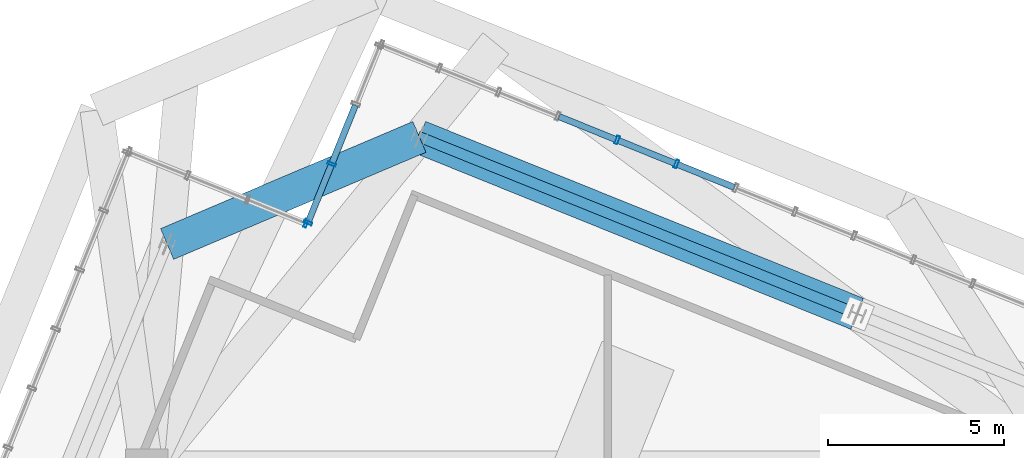
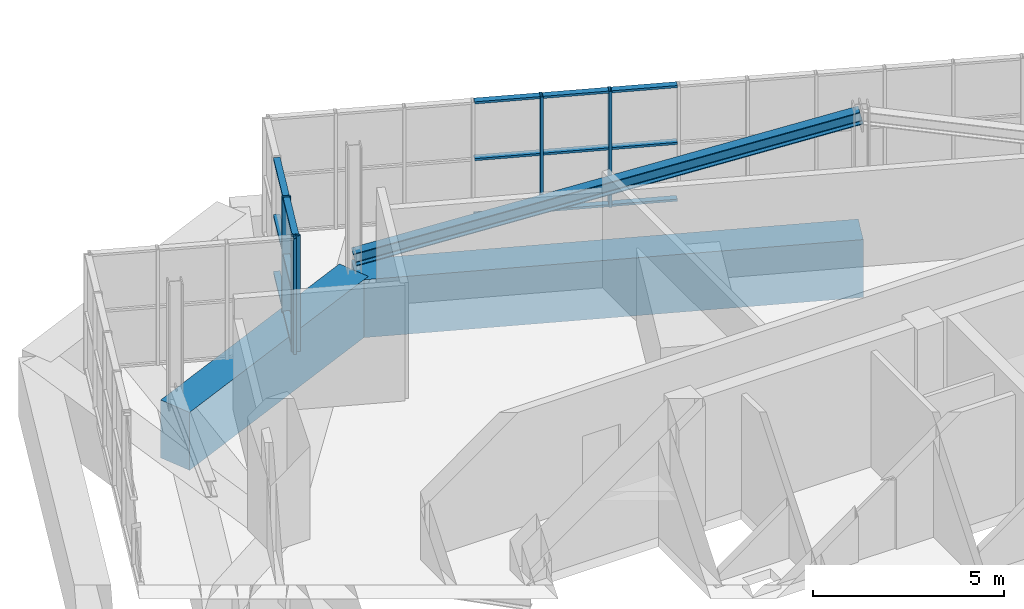
# One storey, part 21 of 35: 21 members, 2 beams, 3 elements without a shape of their own.
"""IFC4 building model written with IfcOpenShell, lengths in metres."""

from ifc_helpers import new_model, si_unit, direction, frame, origin, origin_2d, place, context, subcontext, project, spatial, rectangle, hollow_rectangle, i_section, extrude, source, transform, mapped, material, layer, layer_set, material_profile, profile_set, type_object, element, aggregate, save


model = new_model("IFC4")

# Units and contexts
model_context = context("Model", 3, precision=1e-05, world=origin(), true_north=direction((0.0, 1.0)))
body_context = subcontext(model_context, "Body", "Model", "MODEL_VIEW")
ifc_project = project(units=[si_unit("LENGTHUNIT", "METRE"), si_unit("AREAUNIT", "SQUARE_METRE"), si_unit("VOLUMEUNIT", "CUBIC_METRE"), si_unit("PLANEANGLEUNIT", "RADIAN"), si_unit("MASSUNIT", "GRAM", prefix="KILO"), si_unit("THERMODYNAMICTEMPERATUREUNIT", "KELVIN")], contexts=[model_context])

# Site, building, storey
site_placement = place(None, origin())
site = spatial("IfcSite", under=ifc_project, at=site_placement, CompositionType="ELEMENT")
building_placement = place(site_placement, origin())
building = spatial("IfcBuilding", under=site, at=building_placement, Name="Kosmvard Interchange Tower", CompositionType="ELEMENT")
storey_placement = place(building_placement, frame((0.0, 0.0, 321.60009765625)))
storey = spatial("IfcBuildingStorey", under=building, at=storey_placement, Name="L79", CompositionType="ELEMENT", Elevation=321.60009765625)

# Beams
ifc_material_1 = material(Name="Concrete C60/75", Category="concrete")
ifc_material_profile_1 = material_profile(ifc_material_1, rectangle(XDim=0.949951171875, YDim=1.85009765625, at=origin_2d()), Name="TG 950x1850")
ifc_profile_set_1 = profile_set([ifc_material_profile_1], Name="Concrete C60/75")
beam_type = type_object("IfcBeamType", Name="Upper Transfer Ring Girder 950x1850 C60/75", PredefinedType="USERDEFINED", material=ifc_profile_set_1)
shared_shape_1 = source(origin(), body_context, "Body", "SweptSolid", [
    extrude(rectangle(XDim=0.949951171875, YDim=1.85009765625, at=origin_2d()), origin(), (0.0, 0.0, 1.0), 13.400146484375),
])
beam_1_placement = place(storey_placement, frame((7.080078125, 17.523681640625, -0.925048828125), z_axis=(-0.927183187789, 0.374608243744, 0.0), x_axis=(-0.374608243744, -0.927183187789, 0.0)))
element("IfcBeam", 1, at=beam_1_placement, inside=storey, type_object=beam_type, Name="BM-L79-PR05", ObjectType="TRANSFER_GIRDER", PredefinedType="USERDEFINED", context=body_context, shape_type="MappedRepresentation", body=[
    mapped(shared_shape_1, transform((0.0, 0.0, 0.0), scale=1.0)),
])
shared_shape_2 = source(origin(), body_context, "Body", "SweptSolid", [
    extrude(rectangle(XDim=0.949951171875, YDim=1.85009765625, at=origin_2d()), origin(), (0.0, 0.0, 1.0), 7.778076171875),
])
beam_2_placement = place(storey_placement, frame((-5.34423828125, 22.54345703125, -0.925048828125), z_axis=(-0.92051132134, -0.39071589075, 0.0), x_axis=(0.39071589075, -0.92051132134, 0.0)))
element("IfcBeam", 2, at=beam_2_placement, inside=storey, type_object=beam_type, Name="BM-L79-PR06", ObjectType="TRANSFER_GIRDER", PredefinedType="USERDEFINED", context=body_context, shape_type="MappedRepresentation", body=[
    mapped(shared_shape_2, transform((0.0, 0.0, 0.0), scale=1.0)),
])

# Member
ifc_material_2 = material(Name="Steel S355", Category="steel")
ifc_material_profile_2 = material_profile(ifc_material_2, i_section(OverallWidth=0.300048828125, OverallDepth=0.39990234375, WebThickness=0.013427734375, FlangeThickness=0.02392578125, FilletRadius=0.027099609375, at=origin_2d()), Name="HEB 400")
ifc_profile_set_2 = profile_set([ifc_material_profile_2], Name="Steel S355")
member_type_1 = type_object("IfcMemberType", Name="Lantern Crown Diagrid Brace HEB 400 S355", PredefinedType="BRACE", material=ifc_profile_set_2)
shared_shape_3 = source(origin(), body_context, "Body", "SweptSolid", [
    extrude(i_section(OverallWidth=0.300048828125, OverallDepth=0.39990234375, WebThickness=0.013427734375, FlangeThickness=0.02392578125, FilletRadius=0.027099609375, at=origin_2d()), origin(), (0.0, 0.0, 1.0), 13.783935546875),
])
member_1_placement = place(storey_placement, frame((-5.34423828125, 22.54345703125, 0.419921875), z_axis=(0.901367558742, -0.364177999122, 0.234330768366), x_axis=(0.374608243744, 0.927183187789, 0.0)))
element("IfcMember", 3, at=member_1_placement, inside=storey, type_object=member_type_1, Name="L79 Crown Lantern Diagrid Brace E2", PredefinedType="BRACE", context=body_context, shape_type="MappedRepresentation", body=[
    mapped(shared_shape_3, transform((0.0, 0.0, 0.0), scale=1.0)),
])

# Curtain wall, members
ifc_material_3 = material(Name="Architectural anodised aluminium", Category="aluminium")
ifc_layer = layer(ifc_material_3, 0.25, Name="Architectural anodised aluminium")
ifc_layer_set = layer_set([ifc_layer], Name="Architectural anodised aluminium")
curtain_wall_type = type_object("IfcCurtainWallType", Name="CW-6 Illuminated Crown Lantern Curtain Wall", PredefinedType="NOTDEFINED", material=ifc_layer_set)
curtain_wall_1_placement = place(storey_placement, origin())
curtain_wall_1 = element("IfcCurtainWall", 4, at=curtain_wall_1_placement, inside=storey, type_object=curtain_wall_type, Name="L79 Crown Lantern Glazing Face 04", PredefinedType="NOTDEFINED")
ifc_material_profile_3 = material_profile(ifc_material_3, hollow_rectangle(XDim=0.239990234375, YDim=0.080078125, WallThickness=0.006103515625, at=origin_2d()), Name="CWM 240x80x6")
ifc_profile_set_3 = profile_set([ifc_material_profile_3], Name="Architectural anodised aluminium")
member_type_2 = type_object("IfcMemberType", Name="Lantern & Observation CW Mullion 240x80 Aluminium", PredefinedType="MULLION", material=ifc_profile_set_3)
shared_shape_4 = source(origin(), body_context, "Body", "SweptSolid", [
    extrude(hollow_rectangle(XDim=0.239990234375, YDim=0.080078125, WallThickness=0.006103515625, at=origin_2d()), origin(), (0.0, 0.0, 1.0), 3.699951171875),
])
member_2_placement = place(storey_placement, frame((1.94970703125, 21.775146484375, 0.0), z_axis=(0.0, 0.0, 1.0), x_axis=(-0.374606584758, -0.927183858065, 0.0)))
member_2 = element("IfcMember", 5, at=member_2_placement, type_object=member_type_2, Name="CW-6 mullion 13", PredefinedType="MULLION", context=body_context, shape_type="MappedRepresentation", body=[
    mapped(shared_shape_4, transform((0.0, 0.0, 0.0), scale=1.0)),
])
member_3_placement = place(storey_placement, frame((0.267578125, 22.454833984375, 0.0), z_axis=(0.0, 0.0, 1.0), x_axis=(-0.374606584758, -0.927183858065, 0.0)))
member_3 = element("IfcMember", 6, at=member_3_placement, type_object=member_type_2, Name="CW-6 mullion 14", PredefinedType="MULLION", context=body_context, shape_type="MappedRepresentation", body=[
    mapped(shared_shape_4, transform((0.0, 0.0, 0.0), scale=1.0)),
])

curtain_wall_2_placement = place(storey_placement, origin())
curtain_wall_2 = element("IfcCurtainWall", 7, at=curtain_wall_2_placement, inside=storey, type_object=curtain_wall_type, Name="L79 Crown Lantern Glazing Face 05", PredefinedType="NOTDEFINED")
member_4_placement = place(storey_placement, frame((-7.833984375, 21.7734375, 0.0), z_axis=(0.0, 0.0, 1.0), x_axis=(0.92718386612, -0.374606564822, 0.0)))
member_4 = element("IfcMember", 8, at=member_4_placement, type_object=member_type_2, Name="CW-6 mullion 3", PredefinedType="MULLION", context=body_context, shape_type="MappedRepresentation", body=[
    mapped(shared_shape_4, transform((0.0, 0.0, 0.0), scale=1.0)),
])
member_5_placement = place(storey_placement, frame((-8.505859375, 20.110595703125, 0.0), z_axis=(0.0, 0.0, 1.0), x_axis=(0.92718386612, -0.374606564822, 0.0)))
member_5 = element("IfcMember", 9, at=member_5_placement, type_object=member_type_2, Name="CW-6 mullion 4", PredefinedType="MULLION", context=body_context, shape_type="MappedRepresentation", body=[
    mapped(shared_shape_4, transform((0.0, 0.0, 0.0), scale=1.0)),
])

# Curtain wall, member
curtain_wall_3_placement = place(storey_placement, origin())
curtain_wall_3 = element("IfcCurtainWall", 10, at=curtain_wall_3_placement, inside=storey, type_object=curtain_wall_type, Name="L79 Crown Lantern Glazing Face 06", PredefinedType="NOTDEFINED")
member_6_placement = place(storey_placement, frame((-8.557861328125, 20.088623046875, 0.0), z_axis=(0.0, 0.0, 1.0), x_axis=(-0.374606501678, -0.927183891631, 0.0)))
member_6 = element("IfcMember", 11, at=member_6_placement, type_object=member_type_2, Name="CW-6 mullion 1", PredefinedType="MULLION", context=body_context, shape_type="MappedRepresentation", body=[
    mapped(shared_shape_4, transform((0.0, 0.0, 0.0), scale=1.0)),
])
aggregate(curtain_wall_3, [member_6])

# Member
ifc_material_profile_4 = material_profile(ifc_material_3, hollow_rectangle(XDim=0.179931640625, YDim=0.070068359375, WallThickness=0.0048828125, at=origin_2d()), Name="CWT 180x70x5")
ifc_profile_set_4 = profile_set([ifc_material_profile_4], Name="Architectural anodised aluminium")
member_type_3 = type_object("IfcMemberType", Name="Heavy Lantern CW Transom 180x70 Aluminium", PredefinedType="USERDEFINED", material=ifc_profile_set_4)
shared_shape_5 = source(origin(), body_context, "Body", "SweptSolid", [
    extrude(hollow_rectangle(XDim=0.179931640625, YDim=0.070068359375, WallThickness=0.0048828125, at=origin_2d()), origin(), (0.0, 0.0, 1.0), 1.734130859375),
])
member_7_placement = place(storey_placement, frame((3.5947265625, 21.110595703125, 0.034912109375), z_axis=(-0.927179782522, 0.374616671924, 0.0), x_axis=(-0.374616671924, -0.927179782522, 0.0)))
member_7 = element("IfcMember", 12, at=member_7_placement, type_object=member_type_3, Name="CW-6 transom 12.1", ObjectType="TRANSOM", PredefinedType="USERDEFINED", context=body_context, shape_type="MappedRepresentation", body=[
    mapped(shared_shape_5, transform((0.0, 0.0, 0.0), scale=1.0)),
])

member_8_placement = place(storey_placement, frame((3.5947265625, 21.110595703125, 1.849853515625), z_axis=(-0.927179782522, 0.374616671924, 0.0), x_axis=(-0.374616671924, -0.927179782522, 0.0)))
member_8 = element("IfcMember", 13, at=member_8_placement, type_object=member_type_3, Name="CW-6 transom 12.2", ObjectType="TRANSOM", PredefinedType="USERDEFINED", context=body_context, shape_type="MappedRepresentation", body=[
    mapped(shared_shape_5, transform((0.0, 0.0, 0.0), scale=1.0)),
])

member_9_placement = place(storey_placement, frame((3.5947265625, 21.110595703125, 3.664794921875), z_axis=(-0.927179782522, 0.374616671924, 0.0), x_axis=(-0.374616671924, -0.927179782522, 0.0)))
member_9 = element("IfcMember", 14, at=member_9_placement, type_object=member_type_3, Name="CW-6 transom 12.3", ObjectType="TRANSOM", PredefinedType="USERDEFINED", context=body_context, shape_type="MappedRepresentation", body=[
    mapped(shared_shape_5, transform((0.0, 0.0, 0.0), scale=1.0)),
])

member_10_placement = place(storey_placement, frame((1.91259765625, 21.790283203125, 0.034912109375), z_axis=(-0.927228675447, 0.374495638732, 0.0), x_axis=(-0.374495638732, -0.927228675447, 0.0)))
member_10 = element("IfcMember", 15, at=member_10_placement, type_object=member_type_3, Name="CW-6 transom 13.1", ObjectType="TRANSOM", PredefinedType="USERDEFINED", context=body_context, shape_type="MappedRepresentation", body=[
    mapped(shared_shape_5, transform((0.0, 0.0, 0.0), scale=1.0)),
])

member_11_placement = place(storey_placement, frame((1.91259765625, 21.790283203125, 1.849853515625), z_axis=(-0.927228675447, 0.374495638732, 0.0), x_axis=(-0.374495638732, -0.927228675447, 0.0)))
member_11 = element("IfcMember", 16, at=member_11_placement, type_object=member_type_3, Name="CW-6 transom 13.2", ObjectType="TRANSOM", PredefinedType="USERDEFINED", context=body_context, shape_type="MappedRepresentation", body=[
    mapped(shared_shape_5, transform((0.0, 0.0, 0.0), scale=1.0)),
])

member_12_placement = place(storey_placement, frame((1.91259765625, 21.790283203125, 3.664794921875), z_axis=(-0.927228675447, 0.374495638732, 0.0), x_axis=(-0.374495638732, -0.927228675447, 0.0)))
member_12 = element("IfcMember", 17, at=member_12_placement, type_object=member_type_3, Name="CW-6 transom 13.3", ObjectType="TRANSOM", PredefinedType="USERDEFINED", context=body_context, shape_type="MappedRepresentation", body=[
    mapped(shared_shape_5, transform((0.0, 0.0, 0.0), scale=1.0)),
])

shared_shape_6 = source(origin(), body_context, "Body", "SweptSolid", [
    extrude(hollow_rectangle(XDim=0.179931640625, YDim=0.070068359375, WallThickness=0.0048828125, at=origin_2d()), origin(), (0.0, 0.0, 1.0), 1.73388671875),
])
member_13_placement = place(storey_placement, frame((0.23046875, 22.4697265625, 0.034912109375), z_axis=(-0.927160021861, 0.374665576032, 0.0), x_axis=(-0.374665576032, -0.927160021861, 0.0)))
member_13 = element("IfcMember", 18, at=member_13_placement, type_object=member_type_3, Name="CW-6 transom 14.1", ObjectType="TRANSOM", PredefinedType="USERDEFINED", context=body_context, shape_type="MappedRepresentation", body=[
    mapped(shared_shape_6, transform((0.0, 0.0, 0.0), scale=1.0)),
])

member_14_placement = place(storey_placement, frame((0.23046875, 22.4697265625, 1.849853515625), z_axis=(-0.927160021861, 0.374665576032, 0.0), x_axis=(-0.374665576032, -0.927160021861, 0.0)))
member_14 = element("IfcMember", 19, at=member_14_placement, type_object=member_type_3, Name="CW-6 transom 14.2", ObjectType="TRANSOM", PredefinedType="USERDEFINED", context=body_context, shape_type="MappedRepresentation", body=[
    mapped(shared_shape_6, transform((0.0, 0.0, 0.0), scale=1.0)),
])

member_15_placement = place(storey_placement, frame((0.23046875, 22.4697265625, 3.664794921875), z_axis=(-0.927160021861, 0.374665576032, 0.0), x_axis=(-0.374665576032, -0.927160021861, 0.0)))
member_15 = element("IfcMember", 20, at=member_15_placement, type_object=member_type_3, Name="CW-6 transom 14.3", ObjectType="TRANSOM", PredefinedType="USERDEFINED", context=body_context, shape_type="MappedRepresentation", body=[
    mapped(shared_shape_6, transform((0.0, 0.0, 0.0), scale=1.0)),
])

aggregate(curtain_wall_1, [member_2, member_3, member_7, member_8, member_9, member_10, member_11, member_12, member_13, member_14, member_15])

shared_shape_7 = source(origin(), body_context, "Body", "SweptSolid", [
    extrude(hollow_rectangle(XDim=0.179931640625, YDim=0.070068359375, WallThickness=0.0048828125, at=origin_2d()), origin(), (0.0, 0.0, 1.0), 1.71337890625),
])
member_16_placement = place(storey_placement, frame((-7.848876953125, 21.736328125, 0.034912109375), z_axis=(-0.374606758599, -0.927183787829, 0.0), x_axis=(0.927183787829, -0.374606758599, 0.0)))
member_16 = element("IfcMember", 21, at=member_16_placement, type_object=member_type_3, Name="CW-6 transom 3.1", ObjectType="TRANSOM", PredefinedType="USERDEFINED", context=body_context, shape_type="MappedRepresentation", body=[
    mapped(shared_shape_7, transform((0.0, 0.0, 0.0), scale=1.0)),
])

member_17_placement = place(storey_placement, frame((-7.848876953125, 21.736328125, 1.849853515625), z_axis=(-0.374606758599, -0.927183787829, 0.0), x_axis=(0.927183787829, -0.374606758599, 0.0)))
member_17 = element("IfcMember", 22, at=member_17_placement, type_object=member_type_3, Name="CW-6 transom 3.2", ObjectType="TRANSOM", PredefinedType="USERDEFINED", context=body_context, shape_type="MappedRepresentation", body=[
    mapped(shared_shape_7, transform((0.0, 0.0, 0.0), scale=1.0)),
])

member_18_placement = place(storey_placement, frame((-7.848876953125, 21.736328125, 3.664794921875), z_axis=(-0.374606758599, -0.927183787829, 0.0), x_axis=(0.927183787829, -0.374606758599, 0.0)))
member_18 = element("IfcMember", 23, at=member_18_placement, type_object=member_type_3, Name="CW-6 transom 3.3", ObjectType="TRANSOM", PredefinedType="USERDEFINED", context=body_context, shape_type="MappedRepresentation", body=[
    mapped(shared_shape_7, transform((0.0, 0.0, 0.0), scale=1.0)),
])

shared_shape_8 = source(origin(), body_context, "Body", "SweptSolid", [
    extrude(hollow_rectangle(XDim=0.179931640625, YDim=0.070068359375, WallThickness=0.0048828125, at=origin_2d()), origin(), (0.0, 0.0, 1.0), 1.75341796875),
])
member_19_placement = place(storey_placement, frame((-7.162109375, 23.436279296875, 0.034912109375), z_axis=(-0.374677135907, -0.927155350429, 0.0), x_axis=(0.927155350429, -0.374677135907, 0.0)))
member_19 = element("IfcMember", 24, at=member_19_placement, type_object=member_type_3, Name="CW-6 transom 2.1", ObjectType="TRANSOM", PredefinedType="USERDEFINED", context=body_context, shape_type="MappedRepresentation", body=[
    mapped(shared_shape_8, transform((0.0, 0.0, 0.0), scale=1.0)),
])

member_20_placement = place(storey_placement, frame((-7.162109375, 23.436279296875, 1.849853515625), z_axis=(-0.374677135907, -0.927155350429, 0.0), x_axis=(0.927155350429, -0.374677135907, 0.0)))
member_20 = element("IfcMember", 25, at=member_20_placement, type_object=member_type_3, Name="CW-6 transom 2.2", ObjectType="TRANSOM", PredefinedType="USERDEFINED", context=body_context, shape_type="MappedRepresentation", body=[
    mapped(shared_shape_8, transform((0.0, 0.0, 0.0), scale=1.0)),
])

member_21_placement = place(storey_placement, frame((-7.162109375, 23.436279296875, 3.664794921875), z_axis=(-0.374677135907, -0.927155350429, 0.0), x_axis=(0.927155350429, -0.374677135907, 0.0)))
member_21 = element("IfcMember", 26, at=member_21_placement, type_object=member_type_3, Name="CW-6 transom 2.3", ObjectType="TRANSOM", PredefinedType="USERDEFINED", context=body_context, shape_type="MappedRepresentation", body=[
    mapped(shared_shape_8, transform((0.0, 0.0, 0.0), scale=1.0)),
])

aggregate(curtain_wall_2, [member_4, member_5, member_19, member_20, member_21, member_16, member_17, member_18])

save(model, "model.ifc")
